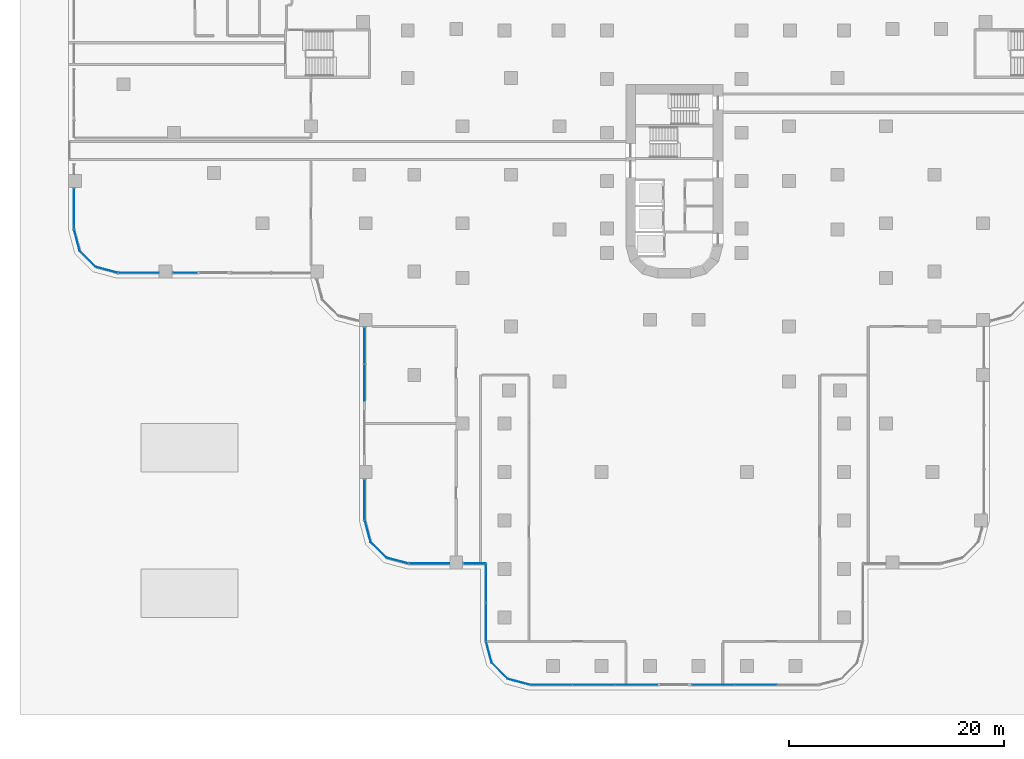
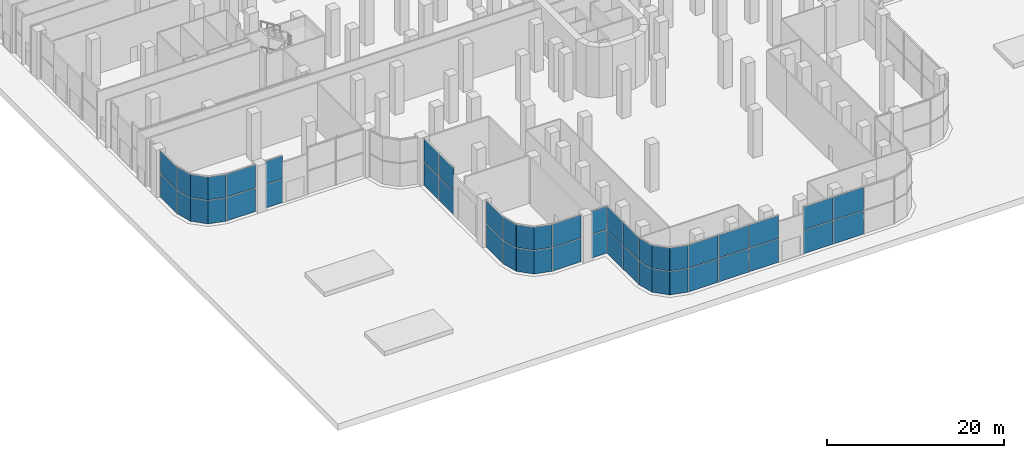
# One storey, part 12 of 34: 48 plates, 15 elements without a shape of their own.
"""IFC4 building model written with IfcOpenShell, lengths in metres."""

from ifc_helpers import new_model, si_unit, direction, origin, place, context, subcontext, project, spatial, polyline, outline, extrude, source, transform, mapped, material, layer, layer_set, type_object, element, aggregate, save


model = new_model("IFC4")

# Units and contexts
model_context = context("Model", 3, precision=1e-05, world=origin(), true_north=direction((0.0, 1.0)))
body_context = subcontext(model_context, "Body", "Model", "MODEL_VIEW")
ifc_project = project(units=[si_unit("LENGTHUNIT", "METRE"), si_unit("AREAUNIT", "SQUARE_METRE"), si_unit("VOLUMEUNIT", "CUBIC_METRE"), si_unit("PLANEANGLEUNIT", "RADIAN"), si_unit("MASSUNIT", "GRAM", prefix="KILO")], contexts=[model_context])

# Site, building, storey
site_placement = place(None, origin())
site = spatial("IfcSite", under=ifc_project, at=site_placement, CompositionType="ELEMENT")
building_placement = place(site_placement, origin())
building = spatial("IfcBuilding", under=site, at=building_placement, Name="Zarbagh Exchange Tower", CompositionType="ELEMENT")
storey_placement = place(building_placement, origin())
storey = spatial("IfcBuildingStorey", under=building, at=storey_placement, Name="L00", CompositionType="ELEMENT", Elevation=0.0)

# Curtain wall, plates
ifc_material_1 = material(Name="Anodised aluminium frame and glazing", Category="aluminium")
curtain_wall_type_1 = type_object("IfcCurtainWallType", Name="CWD Exchange hall wall glazing", PredefinedType="NOTDEFINED", material=ifc_material_1)
curtain_wall_1_placement = place(storey_placement, origin())
curtain_wall_1 = element("IfcCurtainWall", 1, at=curtain_wall_1_placement, inside=storey, type_object=curtain_wall_type_1, Name="CWD06 curtain wall", PredefinedType="NOTDEFINED")
ifc_material_2 = material(Name="Low-e double glazed unit, 6+12+6 mm")
ifc_layer_1 = layer(ifc_material_2, 0.035888671875)
ifc_layer_set_1 = layer_set([ifc_layer_1], Name="PAD Glazing panel, Low-e double glazed unit, 6+12+6 mm")
plate_type_1 = type_object("IfcPlateType", Name="PAD Glazing panel, Low-e double glazed unit, 6+12+6 mm", PredefinedType="CURTAIN_PANEL", material=ifc_layer_set_1)
shared_shape_1 = source(origin(), body_context, "Body", "SweptSolid", [
    extrude(outline(polyline([(0.0, -0.01806640625), (2.049560546875, -0.01806640625), (2.049560546875, 0.01806640625), (0.0, 0.01806640625), (0.0, -0.01806640625)])), origin(), (0.0, 0.0, 1.0), 3.235107421875),
])
placement = place(storey_placement, origin())
plate_1 = element("IfcPlate", 2, at=placement, type_object=plate_type_1, Name="CWD06 glazing panel 1.1", PredefinedType="CURTAIN_PANEL", context=body_context, shape_type="MappedRepresentation", body=[
    mapped(shared_shape_1, transform((-17.479248046875, -63.011474609375, 0.0), x_axis=(0.258824779902, -0.965924289636, 0.0), y_axis=(0.965924289636, 0.258824779902, 0.0), z_axis=(0.0, 0.0, 1.0))),
])
shared_shape_2 = source(origin(), body_context, "Body", "SweptSolid", [
    extrude(outline(polyline([(0.0, -0.01806640625), (2.049560546875, -0.01806640625), (2.049560546875, 0.01806640625), (0.0, 0.01806640625), (0.0, -0.01806640625)])), origin(), (0.0, 0.0, 1.0), 3.155029296875),
])
plate_2 = element("IfcPlate", 3, at=placement, type_object=plate_type_1, Name="CWD06 glazing panel 1.1", PredefinedType="CURTAIN_PANEL", context=body_context, shape_type="MappedRepresentation", body=[
    mapped(shared_shape_2, transform((-17.479248046875, -63.011474609375, 3.31494140625), x_axis=(0.258824779902, -0.965924289636, 0.0), y_axis=(0.965924289636, 0.258824779902, 0.0), z_axis=(0.0, 0.0, 1.0))),
])
aggregate(curtain_wall_1, [plate_1, plate_2])

curtain_wall_2_placement = place(storey_placement, origin())
curtain_wall_2 = element("IfcCurtainWall", 4, at=curtain_wall_2_placement, inside=storey, type_object=curtain_wall_type_1, Name="CWD07 curtain wall", PredefinedType="NOTDEFINED")
shared_shape_3 = source(origin(), body_context, "Body", "SweptSolid", [
    extrude(outline(polyline([(0.0, -0.01806640625), (2.061279296875, -0.01806640625), (2.061279296875, 0.01806640625), (0.0, 0.01806640625), (0.0, -0.01806640625)])), origin(), (0.0, 0.0, 1.0), 3.235107421875),
])
plate_3 = element("IfcPlate", 5, at=placement, type_object=plate_type_1, Name="CWD07 glazing panel 1.1", PredefinedType="CURTAIN_PANEL", context=body_context, shape_type="MappedRepresentation", body=[
    mapped(shared_shape_3, transform((-16.94873046875, -64.9912109375, 0.0), x_axis=(0.707106781187, -0.707106781187, 0.0), y_axis=(0.707106781187, 0.707106781187, 0.0), z_axis=(0.0, 0.0, 1.0))),
])
shared_shape_4 = source(origin(), body_context, "Body", "SweptSolid", [
    extrude(outline(polyline([(0.0, -0.01806640625), (2.061279296875, -0.01806640625), (2.061279296875, 0.01806640625), (0.0, 0.01806640625), (0.0, -0.01806640625)])), origin(), (0.0, 0.0, 1.0), 3.155029296875),
])
plate_4 = element("IfcPlate", 6, at=placement, type_object=plate_type_1, Name="CWD07 glazing panel 1.1", PredefinedType="CURTAIN_PANEL", context=body_context, shape_type="MappedRepresentation", body=[
    mapped(shared_shape_4, transform((-16.94873046875, -64.9912109375, 3.31494140625), x_axis=(0.707106781187, -0.707106781187, 0.0), y_axis=(0.707106781187, 0.707106781187, 0.0), z_axis=(0.0, 0.0, 1.0))),
])
aggregate(curtain_wall_2, [plate_3, plate_4])

curtain_wall_3_placement = place(storey_placement, origin())
curtain_wall_3 = element("IfcCurtainWall", 7, at=curtain_wall_3_placement, inside=storey, type_object=curtain_wall_type_1, Name="CWD08 curtain wall", PredefinedType="NOTDEFINED")
shared_shape_5 = source(origin(), body_context, "Body", "SweptSolid", [
    extrude(outline(polyline([(0.0, -0.01806640625), (2.129638671875, -0.01806640625), (2.129638671875, 0.01806640625), (0.0, 0.01806640625), (0.0, -0.01806640625)])), origin(), (0.0, 0.0, 1.0), 3.235107421875),
])
plate_5 = element("IfcPlate", 8, at=placement, type_object=plate_type_1, Name="CWD08 glazing panel 1.1", PredefinedType="CURTAIN_PANEL", context=body_context, shape_type="MappedRepresentation", body=[
    mapped(shared_shape_5, transform((-15.4912109375, -66.44873046875, 0.0), x_axis=(0.965924289636, -0.258824779902, 0.0), y_axis=(0.258824779902, 0.965924289636, 0.0), z_axis=(0.0, 0.0, 1.0))),
])
shared_shape_6 = source(origin(), body_context, "Body", "SweptSolid", [
    extrude(outline(polyline([(0.0, -0.01806640625), (2.129638671875, -0.01806640625), (2.129638671875, 0.01806640625), (0.0, 0.01806640625), (0.0, -0.01806640625)])), origin(), (0.0, 0.0, 1.0), 3.155029296875),
])
plate_6 = element("IfcPlate", 9, at=placement, type_object=plate_type_1, Name="CWD08 glazing panel 1.1", PredefinedType="CURTAIN_PANEL", context=body_context, shape_type="MappedRepresentation", body=[
    mapped(shared_shape_6, transform((-15.4912109375, -66.44873046875, 3.31494140625), x_axis=(0.965924289636, -0.258824779902, 0.0), y_axis=(0.258824779902, 0.965924289636, 0.0), z_axis=(0.0, 0.0, 1.0))),
])
aggregate(curtain_wall_3, [plate_5, plate_6])

curtain_wall_4_placement = place(storey_placement, origin())
curtain_wall_4 = element("IfcCurtainWall", 10, at=curtain_wall_4_placement, inside=storey, type_object=curtain_wall_type_1, Name="CWD05 curtain wall", PredefinedType="NOTDEFINED")
shared_shape_7 = source(origin(), body_context, "Body", "SweptSolid", [
    extrude(outline(polyline([(0.0, -0.01806640625), (3.51220703125, -0.01806640625), (3.51220703125, 0.01806640625), (0.0, 0.01806640625), (0.0, -0.01806640625)])), origin(), (0.0, 0.0, 1.0), 3.235107421875),
])
plate_7 = element("IfcPlate", 11, at=placement, type_object=plate_type_1, Name="CWD05 glazing panel 1.1", PredefinedType="CURTAIN_PANEL", context=body_context, shape_type="MappedRepresentation", body=[
    mapped(shared_shape_7, transform((-17.5, -55.830078125, 0.0), x_axis=(0.0, -1.0, 0.0), y_axis=(1.0, 0.0, 0.0), z_axis=(0.0, 0.0, 1.0))),
])
plate_8 = element("IfcPlate", 12, at=placement, type_object=plate_type_1, Name="CWD05 glazing panel 1.2", PredefinedType="CURTAIN_PANEL", context=body_context, shape_type="MappedRepresentation", body=[
    mapped(shared_shape_7, transform((-17.5, -59.422119140625, 0.0), x_axis=(0.0, -1.0, 0.0), y_axis=(1.0, 0.0, 0.0), z_axis=(0.0, 0.0, 1.0))),
])
shared_shape_8 = source(origin(), body_context, "Body", "SweptSolid", [
    extrude(outline(polyline([(0.0, -0.01806640625), (3.51220703125, -0.01806640625), (3.51220703125, 0.01806640625), (0.0, 0.01806640625), (0.0, -0.01806640625)])), origin(), (0.0, 0.0, 1.0), 3.155029296875),
])
plate_9 = element("IfcPlate", 13, at=placement, type_object=plate_type_1, Name="CWD05 glazing panel 1.1", PredefinedType="CURTAIN_PANEL", context=body_context, shape_type="MappedRepresentation", body=[
    mapped(shared_shape_8, transform((-17.5, -55.830078125, 3.31494140625), x_axis=(0.0, -1.0, 0.0), y_axis=(1.0, 0.0, 0.0), z_axis=(0.0, 0.0, 1.0))),
])
plate_10 = element("IfcPlate", 14, at=placement, type_object=plate_type_1, Name="CWD05 glazing panel 1.2", PredefinedType="CURTAIN_PANEL", context=body_context, shape_type="MappedRepresentation", body=[
    mapped(shared_shape_8, transform((-17.5, -59.422119140625, 3.31494140625), x_axis=(0.0, -1.0, 0.0), y_axis=(1.0, 0.0, 0.0), z_axis=(0.0, 0.0, 1.0))),
])
aggregate(curtain_wall_4, [plate_7, plate_9, plate_8, plate_10])

curtain_wall_type_2 = type_object("IfcCurtainWallType", Name="CWC Podium garden-wall glazing", PredefinedType="NOTDEFINED", material=ifc_material_1)
curtain_wall_5_placement = place(storey_placement, origin())
curtain_wall_5 = element("IfcCurtainWall", 15, at=curtain_wall_5_placement, inside=storey, type_object=curtain_wall_type_2, Name="CWC49 curtain wall", PredefinedType="NOTDEFINED")
ifc_layer_2 = layer(ifc_material_2, 0.031982421875)
ifc_layer_set_2 = layer_set([ifc_layer_2], Name="PAC Glazing panel, Low-e double glazed unit, 6+12+6 mm")
plate_type_2 = type_object("IfcPlateType", Name="PAC Glazing panel, Low-e double glazed unit, 6+12+6 mm", PredefinedType="CURTAIN_PANEL", material=ifc_layer_set_2)
shared_shape_9 = source(origin(), body_context, "Body", "SweptSolid", [
    extrude(outline(polyline([(0.0, -0.01611328125), (2.030029296875, -0.01611328125), (2.030029296875, 0.01611328125), (0.0, 0.01611328125), (0.0, -0.01611328125)])), origin(), (0.0, 0.0, 1.0), 3.235107421875),
])
plate_11 = element("IfcPlate", 16, at=placement, type_object=plate_type_2, Name="CWC49 glazing panel 2.1", PredefinedType="CURTAIN_PANEL", context=body_context, shape_type="MappedRepresentation", body=[
    mapped(shared_shape_9, transform((-19.530029296875, -55.75, 0.0), x_axis=(1.0, 0.0, 0.0), y_axis=(0.0, 1.0, 0.0), z_axis=(0.0, 0.0, 1.0))),
])
shared_shape_10 = source(origin(), body_context, "Body", "SweptSolid", [
    extrude(outline(polyline([(0.0, -0.01611328125), (2.030029296875, -0.01611328125), (2.030029296875, 0.01611328125), (0.0, 0.01611328125), (0.0, -0.01611328125)])), origin(), (0.0, 0.0, 1.0), 3.155029296875),
])
plate_12 = element("IfcPlate", 17, at=placement, type_object=plate_type_2, Name="CWC49 glazing panel 2.1", PredefinedType="CURTAIN_PANEL", context=body_context, shape_type="MappedRepresentation", body=[
    mapped(shared_shape_10, transform((-19.530029296875, -55.75, 3.31494140625), x_axis=(1.0, 0.0, 0.0), y_axis=(0.0, 1.0, 0.0), z_axis=(0.0, 0.0, 1.0))),
])

# Curtain wall, plate
curtain_wall_6_placement = place(storey_placement, origin())
curtain_wall_6 = element("IfcCurtainWall", 18, at=curtain_wall_6_placement, inside=storey, type_object=curtain_wall_type_2, Name="CWC37 curtain wall", PredefinedType="NOTDEFINED")
shared_shape_11 = source(origin(), body_context, "Body", "SweptSolid", [
    extrude(outline(polyline([(0.0, -0.01611328125), (3.714111328125, -0.01611328125), (3.714111328125, 0.01611328125), (0.0, 0.01611328125), (0.0, -0.01611328125)])), origin(), (0.0, 0.0, 1.0), 3.235107421875),
])
plate_13 = element("IfcPlate", 19, at=placement, type_object=plate_type_2, Name="CWC37 glazing panel 9.1", PredefinedType="CURTAIN_PANEL", context=body_context, shape_type="MappedRepresentation", body=[
    mapped(shared_shape_11, transform((-55.75, -20.969970703125, 0.0), x_axis=(0.0, -1.0, 0.0), y_axis=(1.0, 0.0, 0.0), z_axis=(0.0, 0.0, 1.0))),
])

curtain_wall_7_placement = place(storey_placement, origin())
curtain_wall_7 = element("IfcCurtainWall", 20, at=curtain_wall_7_placement, inside=storey, type_object=curtain_wall_type_2, Name="CWC41 curtain wall", PredefinedType="NOTDEFINED")
plate_14 = element("IfcPlate", 21, at=placement, type_object=plate_type_2, Name="CWC41 glazing panel 1.1", PredefinedType="CURTAIN_PANEL", context=body_context, shape_type="MappedRepresentation", body=[
    mapped(shared_shape_11, transform((-51.604248046875, -28.75, 0.0), x_axis=(1.0, 0.0, 0.0), y_axis=(0.0, 1.0, 0.0), z_axis=(0.0, 0.0, 1.0))),
])

curtain_wall_8_placement = place(storey_placement, origin())
curtain_wall_8 = element("IfcCurtainWall", 22, at=curtain_wall_8_placement, inside=storey, type_object=curtain_wall_type_2, Name="CWC45 curtain wall", PredefinedType="NOTDEFINED")
plate_15 = element("IfcPlate", 23, at=placement, type_object=plate_type_2, Name="CWC45 glazing panel 2.1", PredefinedType="CURTAIN_PANEL", context=body_context, shape_type="MappedRepresentation", body=[
    mapped(shared_shape_11, transform((-28.75, -47.969970703125, 0.0), x_axis=(0.0, -1.0, 0.0), y_axis=(1.0, 0.0, 0.0), z_axis=(0.0, 0.0, 1.0))),
])

# Plate
plate_16 = element("IfcPlate", 24, at=placement, type_object=plate_type_2, Name="CWC49 glazing panel 1.1", PredefinedType="CURTAIN_PANEL", context=body_context, shape_type="MappedRepresentation", body=[
    mapped(shared_shape_11, transform((-24.604248046875, -55.75, 0.0), x_axis=(1.0, 0.0, 0.0), y_axis=(0.0, 1.0, 0.0), z_axis=(0.0, 0.0, 1.0))),
])

shared_shape_12 = source(origin(), body_context, "Body", "SweptSolid", [
    extrude(outline(polyline([(0.0, -0.01611328125), (3.714111328125, -0.01611328125), (3.714111328125, 0.01611328125), (0.0, 0.01611328125), (0.0, -0.01611328125)])), origin(), (0.0, 0.0, 1.0), 3.155029296875),
])
plate_17 = element("IfcPlate", 25, at=placement, type_object=plate_type_2, Name="CWC37 glazing panel 9.1", PredefinedType="CURTAIN_PANEL", context=body_context, shape_type="MappedRepresentation", body=[
    mapped(shared_shape_12, transform((-55.75, -20.969970703125, 3.31494140625), x_axis=(0.0, -1.0, 0.0), y_axis=(1.0, 0.0, 0.0), z_axis=(0.0, 0.0, 1.0))),
])

aggregate(curtain_wall_6, [plate_13, plate_17])

plate_18 = element("IfcPlate", 26, at=placement, type_object=plate_type_2, Name="CWC41 glazing panel 1.1", PredefinedType="CURTAIN_PANEL", context=body_context, shape_type="MappedRepresentation", body=[
    mapped(shared_shape_12, transform((-51.604248046875, -28.75, 3.31494140625), x_axis=(1.0, 0.0, 0.0), y_axis=(0.0, 1.0, 0.0), z_axis=(0.0, 0.0, 1.0))),
])

plate_19 = element("IfcPlate", 27, at=placement, type_object=plate_type_2, Name="CWC45 glazing panel 2.1", PredefinedType="CURTAIN_PANEL", context=body_context, shape_type="MappedRepresentation", body=[
    mapped(shared_shape_12, transform((-28.75, -47.969970703125, 3.31494140625), x_axis=(0.0, -1.0, 0.0), y_axis=(1.0, 0.0, 0.0), z_axis=(0.0, 0.0, 1.0))),
])

plate_20 = element("IfcPlate", 28, at=placement, type_object=plate_type_2, Name="CWC49 glazing panel 1.1", PredefinedType="CURTAIN_PANEL", context=body_context, shape_type="MappedRepresentation", body=[
    mapped(shared_shape_12, transform((-24.604248046875, -55.75, 3.31494140625), x_axis=(1.0, 0.0, 0.0), y_axis=(0.0, 1.0, 0.0), z_axis=(0.0, 0.0, 1.0))),
])

aggregate(curtain_wall_5, [plate_16, plate_20, plate_11, plate_12])

# Curtain wall, plate
curtain_wall_9_placement = place(storey_placement, origin())
curtain_wall_9 = element("IfcCurtainWall", 29, at=curtain_wall_9_placement, inside=storey, type_object=curtain_wall_type_2, Name="CWC38 curtain wall", PredefinedType="NOTDEFINED")
shared_shape_13 = source(origin(), body_context, "Body", "SweptSolid", [
    extrude(outline(polyline([(0.0, -0.01611328125), (2.049560546875, -0.01611328125), (2.049560546875, 0.01611328125), (0.0, 0.01611328125), (0.0, -0.01611328125)])), origin(), (0.0, 0.0, 1.0), 3.235107421875),
])
plate_21 = element("IfcPlate", 30, at=placement, type_object=plate_type_2, Name="CWC38 glazing panel 1.1", PredefinedType="CURTAIN_PANEL", context=body_context, shape_type="MappedRepresentation", body=[
    mapped(shared_shape_13, transform((-55.729248046875, -24.761474609375, 0.0), x_axis=(0.258824779902, -0.965924289636, 0.0), y_axis=(0.965924289636, 0.258824779902, 0.0), z_axis=(0.0, 0.0, 1.0))),
])

curtain_wall_10_placement = place(storey_placement, origin())
curtain_wall_10 = element("IfcCurtainWall", 31, at=curtain_wall_10_placement, inside=storey, type_object=curtain_wall_type_2, Name="CWC46 curtain wall", PredefinedType="NOTDEFINED")
plate_22 = element("IfcPlate", 32, at=placement, type_object=plate_type_2, Name="CWC46 glazing panel 1.1", PredefinedType="CURTAIN_PANEL", context=body_context, shape_type="MappedRepresentation", body=[
    mapped(shared_shape_13, transform((-28.729248046875, -51.761474609375, 0.0), x_axis=(0.258824779902, -0.965924289636, 0.0), y_axis=(0.965924289636, 0.258824779902, 0.0), z_axis=(0.0, 0.0, 1.0))),
])

# Plate
shared_shape_14 = source(origin(), body_context, "Body", "SweptSolid", [
    extrude(outline(polyline([(0.0, -0.01611328125), (2.049560546875, -0.01611328125), (2.049560546875, 0.01611328125), (0.0, 0.01611328125), (0.0, -0.01611328125)])), origin(), (0.0, 0.0, 1.0), 3.155029296875),
])
plate_23 = element("IfcPlate", 33, at=placement, type_object=plate_type_2, Name="CWC38 glazing panel 1.1", PredefinedType="CURTAIN_PANEL", context=body_context, shape_type="MappedRepresentation", body=[
    mapped(shared_shape_14, transform((-55.729248046875, -24.761474609375, 3.31494140625), x_axis=(0.258824779902, -0.965924289636, 0.0), y_axis=(0.965924289636, 0.258824779902, 0.0), z_axis=(0.0, 0.0, 1.0))),
])

aggregate(curtain_wall_9, [plate_21, plate_23])

plate_24 = element("IfcPlate", 34, at=placement, type_object=plate_type_2, Name="CWC46 glazing panel 1.1", PredefinedType="CURTAIN_PANEL", context=body_context, shape_type="MappedRepresentation", body=[
    mapped(shared_shape_14, transform((-28.729248046875, -51.761474609375, 3.31494140625), x_axis=(0.258824779902, -0.965924289636, 0.0), y_axis=(0.965924289636, 0.258824779902, 0.0), z_axis=(0.0, 0.0, 1.0))),
])

aggregate(curtain_wall_10, [plate_22, plate_24])

# Curtain wall, plate
curtain_wall_11_placement = place(storey_placement, origin())
curtain_wall_11 = element("IfcCurtainWall", 35, at=curtain_wall_11_placement, inside=storey, type_object=curtain_wall_type_2, Name="CWC39 curtain wall", PredefinedType="NOTDEFINED")
shared_shape_15 = source(origin(), body_context, "Body", "SweptSolid", [
    extrude(outline(polyline([(0.0, -0.01611328125), (2.061279296875, -0.01611328125), (2.061279296875, 0.01611328125), (0.0, 0.01611328125), (0.0, -0.01611328125)])), origin(), (0.0, 0.0, 1.0), 3.235107421875),
])
plate_25 = element("IfcPlate", 36, at=placement, type_object=plate_type_2, Name="CWC39 glazing panel 1.1", PredefinedType="CURTAIN_PANEL", context=body_context, shape_type="MappedRepresentation", body=[
    mapped(shared_shape_15, transform((-55.19873046875, -26.7412109375, 0.0), x_axis=(0.707106781187, -0.707106781187, 0.0), y_axis=(0.707106781187, 0.707106781187, 0.0), z_axis=(0.0, 0.0, 1.0))),
])

curtain_wall_12_placement = place(storey_placement, origin())
curtain_wall_12 = element("IfcCurtainWall", 37, at=curtain_wall_12_placement, inside=storey, type_object=curtain_wall_type_2, Name="CWC47 curtain wall", PredefinedType="NOTDEFINED")
plate_26 = element("IfcPlate", 38, at=placement, type_object=plate_type_2, Name="CWC47 glazing panel 1.1", PredefinedType="CURTAIN_PANEL", context=body_context, shape_type="MappedRepresentation", body=[
    mapped(shared_shape_15, transform((-28.19873046875, -53.7412109375, 0.0), x_axis=(0.707106781187, -0.707106781187, 0.0), y_axis=(0.707106781187, 0.707106781187, 0.0), z_axis=(0.0, 0.0, 1.0))),
])

# Plate
shared_shape_16 = source(origin(), body_context, "Body", "SweptSolid", [
    extrude(outline(polyline([(0.0, -0.01611328125), (2.061279296875, -0.01611328125), (2.061279296875, 0.01611328125), (0.0, 0.01611328125), (0.0, -0.01611328125)])), origin(), (0.0, 0.0, 1.0), 3.155029296875),
])
plate_27 = element("IfcPlate", 39, at=placement, type_object=plate_type_2, Name="CWC39 glazing panel 1.1", PredefinedType="CURTAIN_PANEL", context=body_context, shape_type="MappedRepresentation", body=[
    mapped(shared_shape_16, transform((-55.19873046875, -26.7412109375, 3.31494140625), x_axis=(0.707106781187, -0.707106781187, 0.0), y_axis=(0.707106781187, 0.707106781187, 0.0), z_axis=(0.0, 0.0, 1.0))),
])

aggregate(curtain_wall_11, [plate_25, plate_27])

plate_28 = element("IfcPlate", 40, at=placement, type_object=plate_type_2, Name="CWC47 glazing panel 1.1", PredefinedType="CURTAIN_PANEL", context=body_context, shape_type="MappedRepresentation", body=[
    mapped(shared_shape_16, transform((-28.19873046875, -53.7412109375, 3.31494140625), x_axis=(0.707106781187, -0.707106781187, 0.0), y_axis=(0.707106781187, 0.707106781187, 0.0), z_axis=(0.0, 0.0, 1.0))),
])

aggregate(curtain_wall_12, [plate_26, plate_28])

# Curtain wall, plate
curtain_wall_13_placement = place(storey_placement, origin())
curtain_wall_13 = element("IfcCurtainWall", 41, at=curtain_wall_13_placement, inside=storey, type_object=curtain_wall_type_2, Name="CWC40 curtain wall", PredefinedType="NOTDEFINED")
shared_shape_17 = source(origin(), body_context, "Body", "SweptSolid", [
    extrude(outline(polyline([(0.0, -0.01611328125), (2.129638671875, -0.01611328125), (2.129638671875, 0.01611328125), (0.0, 0.01611328125), (0.0, -0.01611328125)])), origin(), (0.0, 0.0, 1.0), 3.235107421875),
])
plate_29 = element("IfcPlate", 42, at=placement, type_object=plate_type_2, Name="CWC40 glazing panel 1.1", PredefinedType="CURTAIN_PANEL", context=body_context, shape_type="MappedRepresentation", body=[
    mapped(shared_shape_17, transform((-53.7412109375, -28.19873046875, 0.0), x_axis=(0.965924289636, -0.258824779902, 0.0), y_axis=(0.258824779902, 0.965924289636, 0.0), z_axis=(0.0, 0.0, 1.0))),
])

curtain_wall_14_placement = place(storey_placement, origin())
curtain_wall_14 = element("IfcCurtainWall", 43, at=curtain_wall_14_placement, inside=storey, type_object=curtain_wall_type_2, Name="CWC48 curtain wall", PredefinedType="NOTDEFINED")
plate_30 = element("IfcPlate", 44, at=placement, type_object=plate_type_2, Name="CWC48 glazing panel 1.1", PredefinedType="CURTAIN_PANEL", context=body_context, shape_type="MappedRepresentation", body=[
    mapped(shared_shape_17, transform((-26.7412109375, -55.19873046875, 0.0), x_axis=(0.965924289636, -0.258824779902, 0.0), y_axis=(0.258824779902, 0.965924289636, 0.0), z_axis=(0.0, 0.0, 1.0))),
])

# Plate
shared_shape_18 = source(origin(), body_context, "Body", "SweptSolid", [
    extrude(outline(polyline([(0.0, -0.01611328125), (2.129638671875, -0.01611328125), (2.129638671875, 0.01611328125), (0.0, 0.01611328125), (0.0, -0.01611328125)])), origin(), (0.0, 0.0, 1.0), 3.155029296875),
])
plate_31 = element("IfcPlate", 45, at=placement, type_object=plate_type_2, Name="CWC40 glazing panel 1.1", PredefinedType="CURTAIN_PANEL", context=body_context, shape_type="MappedRepresentation", body=[
    mapped(shared_shape_18, transform((-53.7412109375, -28.19873046875, 3.31494140625), x_axis=(0.965924289636, -0.258824779902, 0.0), y_axis=(0.258824779902, 0.965924289636, 0.0), z_axis=(0.0, 0.0, 1.0))),
])

aggregate(curtain_wall_13, [plate_29, plate_31])

plate_32 = element("IfcPlate", 46, at=placement, type_object=plate_type_2, Name="CWC48 glazing panel 1.1", PredefinedType="CURTAIN_PANEL", context=body_context, shape_type="MappedRepresentation", body=[
    mapped(shared_shape_18, transform((-26.7412109375, -55.19873046875, 3.31494140625), x_axis=(0.965924289636, -0.258824779902, 0.0), y_axis=(0.258824779902, 0.965924289636, 0.0), z_axis=(0.0, 0.0, 1.0))),
])

aggregate(curtain_wall_14, [plate_30, plate_32])

shared_shape_19 = source(origin(), body_context, "Body", "SweptSolid", [
    extrude(outline(polyline([(0.0, -0.01611328125), (3.330078125, -0.01611328125), (3.330078125, 0.01611328125), (0.0, 0.01611328125), (0.0, -0.01611328125)])), origin(), (0.0, 0.0, 1.0), 3.235107421875),
])
plate_33 = element("IfcPlate", 47, at=placement, type_object=plate_type_2, Name="CWC45 glazing panel 1.1", PredefinedType="CURTAIN_PANEL", context=body_context, shape_type="MappedRepresentation", body=[
    mapped(shared_shape_19, transform((-28.75, -33.8701171875, 0.0), x_axis=(0.0, -1.0, 0.0), y_axis=(1.0, 0.0, 0.0), z_axis=(0.0, 0.0, 1.0))),
])

plate_34 = element("IfcPlate", 48, at=placement, type_object=plate_type_2, Name="CWC45 glazing panel 1.2", PredefinedType="CURTAIN_PANEL", context=body_context, shape_type="MappedRepresentation", body=[
    mapped(shared_shape_19, transform((-28.75, -37.280029296875, 0.0), x_axis=(0.0, -1.0, 0.0), y_axis=(1.0, 0.0, 0.0), z_axis=(0.0, 0.0, 1.0))),
])

shared_shape_20 = source(origin(), body_context, "Body", "SweptSolid", [
    extrude(outline(polyline([(0.0, -0.01611328125), (3.330078125, -0.01611328125), (3.330078125, 0.01611328125), (0.0, 0.01611328125), (0.0, -0.01611328125)])), origin(), (0.0, 0.0, 1.0), 3.155029296875),
])
plate_35 = element("IfcPlate", 49, at=placement, type_object=plate_type_2, Name="CWC45 glazing panel 1.1", PredefinedType="CURTAIN_PANEL", context=body_context, shape_type="MappedRepresentation", body=[
    mapped(shared_shape_20, transform((-28.75, -33.8701171875, 3.31494140625), x_axis=(0.0, -1.0, 0.0), y_axis=(1.0, 0.0, 0.0), z_axis=(0.0, 0.0, 1.0))),
])

plate_36 = element("IfcPlate", 50, at=placement, type_object=plate_type_2, Name="CWC45 glazing panel 1.2", PredefinedType="CURTAIN_PANEL", context=body_context, shape_type="MappedRepresentation", body=[
    mapped(shared_shape_20, transform((-28.75, -37.280029296875, 3.31494140625), x_axis=(0.0, -1.0, 0.0), y_axis=(1.0, 0.0, 0.0), z_axis=(0.0, 0.0, 1.0))),
])

aggregate(curtain_wall_8, [plate_33, plate_35, plate_34, plate_36, plate_15, plate_19])

shared_shape_21 = source(origin(), body_context, "Body", "SweptSolid", [
    extrude(outline(polyline([(0.0, -0.01611328125), (2.179931640625, -0.01611328125), (2.179931640625, 0.01611328125), (0.0, 0.01611328125), (0.0, -0.01611328125)])), origin(), (0.0, 0.0, 1.0), 3.235107421875),
])
plate_37 = element("IfcPlate", 51, at=placement, type_object=plate_type_2, Name="CWC41 glazing panel 2.1", PredefinedType="CURTAIN_PANEL", context=body_context, shape_type="MappedRepresentation", body=[
    mapped(shared_shape_21, transform((-46.530029296875, -28.75, 0.0), x_axis=(1.0, 0.0, 0.0), y_axis=(0.0, 1.0, 0.0), z_axis=(0.0, 0.0, 1.0))),
])

shared_shape_22 = source(origin(), body_context, "Body", "SweptSolid", [
    extrude(outline(polyline([(0.0, -0.01611328125), (2.179931640625, -0.01611328125), (2.179931640625, 0.01611328125), (0.0, 0.01611328125), (0.0, -0.01611328125)])), origin(), (0.0, 0.0, 1.0), 3.155029296875),
])
plate_38 = element("IfcPlate", 52, at=placement, type_object=plate_type_2, Name="CWC41 glazing panel 2.1", PredefinedType="CURTAIN_PANEL", context=body_context, shape_type="MappedRepresentation", body=[
    mapped(shared_shape_22, transform((-46.530029296875, -28.75, 3.31494140625), x_axis=(1.0, 0.0, 0.0), y_axis=(0.0, 1.0, 0.0), z_axis=(0.0, 0.0, 1.0))),
])

aggregate(curtain_wall_7, [plate_14, plate_18, plate_37, plate_38])

# Curtain wall, plates
curtain_wall_15_placement = place(storey_placement, origin())
curtain_wall_15 = element("IfcCurtainWall", 53, at=curtain_wall_15_placement, inside=storey, type_object=curtain_wall_type_1, Name="CWD09 curtain wall", PredefinedType="NOTDEFINED")
shared_shape_23 = source(origin(), body_context, "Body", "SweptSolid", [
    extrude(outline(polyline([(0.0, -0.01806640625), (3.86474609375, -0.01806640625), (3.86474609375, 0.01806640625), (0.0, 0.01806640625), (0.0, -0.01806640625)])), origin(), (0.0, 0.0, 1.0), 3.235107421875),
])
plate_39 = element("IfcPlate", 54, at=placement, type_object=plate_type_1, Name="CWD09 glazing panel 1.1", PredefinedType="CURTAIN_PANEL", context=body_context, shape_type="MappedRepresentation", body=[
    mapped(shared_shape_23, transform((-13.354248046875, -67.0, 0.0), x_axis=(1.0, 0.0, 0.0), y_axis=(0.0, 1.0, 0.0), z_axis=(0.0, 0.0, 1.0))),
])
plate_40 = element("IfcPlate", 55, at=placement, type_object=plate_type_1, Name="CWD09 glazing panel 1.2", PredefinedType="CURTAIN_PANEL", context=body_context, shape_type="MappedRepresentation", body=[
    mapped(shared_shape_23, transform((-9.409423828125, -67.0, 0.0), x_axis=(1.0, 0.0, 0.0), y_axis=(0.0, 1.0, 0.0), z_axis=(0.0, 0.0, 1.0))),
])
plate_41 = element("IfcPlate", 56, at=placement, type_object=plate_type_1, Name="CWD09 glazing panel 1.3", PredefinedType="CURTAIN_PANEL", context=body_context, shape_type="MappedRepresentation", body=[
    mapped(shared_shape_23, transform((-5.46484375, -67.0, 0.0), x_axis=(1.0, 0.0, 0.0), y_axis=(0.0, 1.0, 0.0), z_axis=(0.0, 0.0, 1.0))),
])
plate_42 = element("IfcPlate", 57, at=placement, type_object=plate_type_1, Name="CWD09 glazing panel 2.1", PredefinedType="CURTAIN_PANEL", context=body_context, shape_type="MappedRepresentation", body=[
    mapped(shared_shape_23, transform((1.679931640625, -67.0, 0.0), x_axis=(1.0, 0.0, 0.0), y_axis=(0.0, 1.0, 0.0), z_axis=(0.0, 0.0, 1.0))),
])
plate_43 = element("IfcPlate", 58, at=placement, type_object=plate_type_1, Name="CWD09 glazing panel 2.2", PredefinedType="CURTAIN_PANEL", context=body_context, shape_type="MappedRepresentation", body=[
    mapped(shared_shape_23, transform((5.624755859375, -67.0, 0.0), x_axis=(1.0, 0.0, 0.0), y_axis=(0.0, 1.0, 0.0), z_axis=(0.0, 0.0, 1.0))),
])
shared_shape_24 = source(origin(), body_context, "Body", "SweptSolid", [
    extrude(outline(polyline([(0.0, -0.01806640625), (3.86474609375, -0.01806640625), (3.86474609375, 0.01806640625), (0.0, 0.01806640625), (0.0, -0.01806640625)])), origin(), (0.0, 0.0, 1.0), 3.155029296875),
])
plate_44 = element("IfcPlate", 59, at=placement, type_object=plate_type_1, Name="CWD09 glazing panel 1.1", PredefinedType="CURTAIN_PANEL", context=body_context, shape_type="MappedRepresentation", body=[
    mapped(shared_shape_24, transform((-13.354248046875, -67.0, 3.31494140625), x_axis=(1.0, 0.0, 0.0), y_axis=(0.0, 1.0, 0.0), z_axis=(0.0, 0.0, 1.0))),
])
plate_45 = element("IfcPlate", 60, at=placement, type_object=plate_type_1, Name="CWD09 glazing panel 1.2", PredefinedType="CURTAIN_PANEL", context=body_context, shape_type="MappedRepresentation", body=[
    mapped(shared_shape_24, transform((-9.409423828125, -67.0, 3.31494140625), x_axis=(1.0, 0.0, 0.0), y_axis=(0.0, 1.0, 0.0), z_axis=(0.0, 0.0, 1.0))),
])
plate_46 = element("IfcPlate", 61, at=placement, type_object=plate_type_1, Name="CWD09 glazing panel 1.3", PredefinedType="CURTAIN_PANEL", context=body_context, shape_type="MappedRepresentation", body=[
    mapped(shared_shape_24, transform((-5.46484375, -67.0, 3.31494140625), x_axis=(1.0, 0.0, 0.0), y_axis=(0.0, 1.0, 0.0), z_axis=(0.0, 0.0, 1.0))),
])
plate_47 = element("IfcPlate", 62, at=placement, type_object=plate_type_1, Name="CWD09 glazing panel 2.1", PredefinedType="CURTAIN_PANEL", context=body_context, shape_type="MappedRepresentation", body=[
    mapped(shared_shape_24, transform((1.679931640625, -67.0, 3.31494140625), x_axis=(1.0, 0.0, 0.0), y_axis=(0.0, 1.0, 0.0), z_axis=(0.0, 0.0, 1.0))),
])
plate_48 = element("IfcPlate", 63, at=placement, type_object=plate_type_1, Name="CWD09 glazing panel 2.2", PredefinedType="CURTAIN_PANEL", context=body_context, shape_type="MappedRepresentation", body=[
    mapped(shared_shape_24, transform((5.624755859375, -67.0, 3.31494140625), x_axis=(1.0, 0.0, 0.0), y_axis=(0.0, 1.0, 0.0), z_axis=(0.0, 0.0, 1.0))),
])
aggregate(curtain_wall_15, [plate_39, plate_44, plate_40, plate_45, plate_41, plate_46, plate_42, plate_47, plate_43, plate_48])

save(model, "model.ifc")
